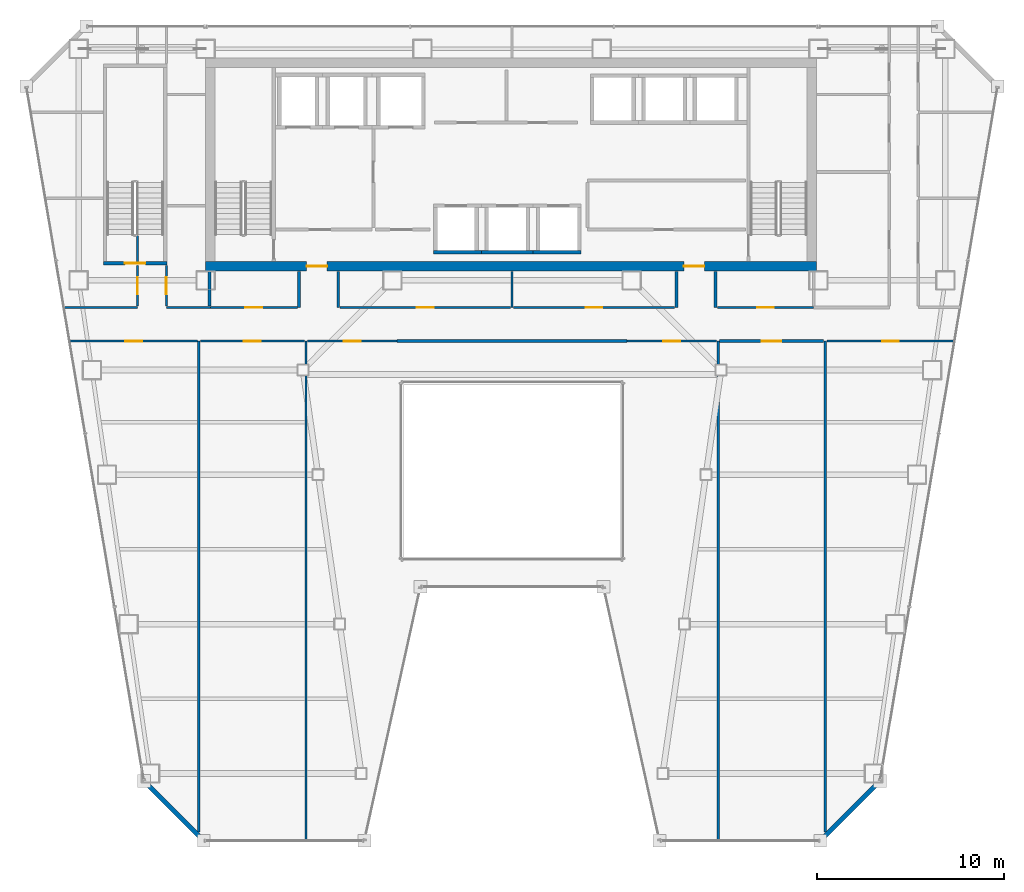
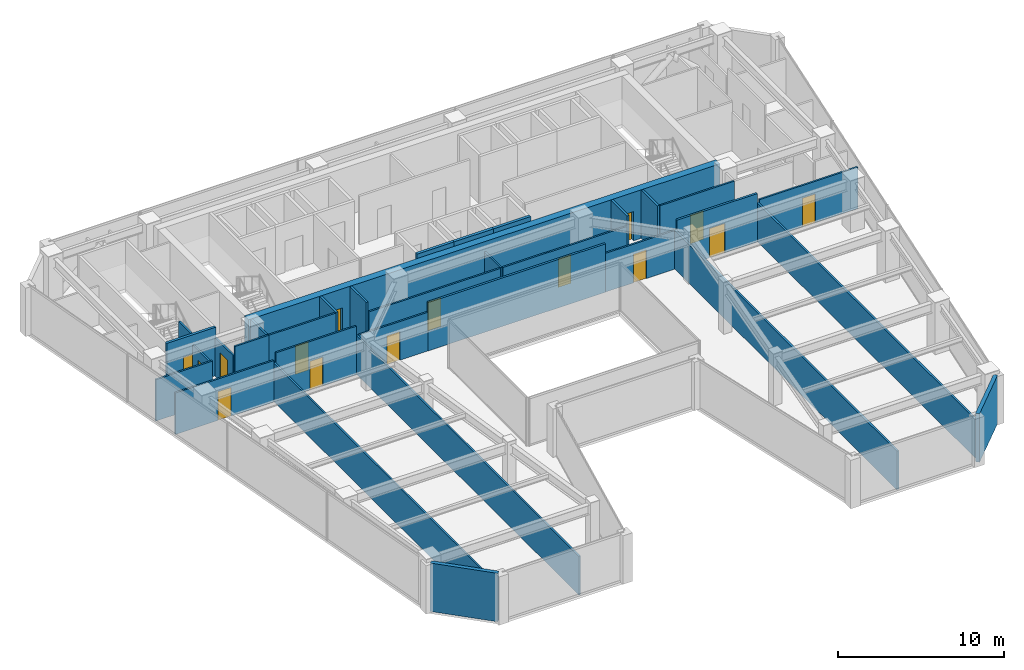
# One storey, part 29 of 35: 33 walls, 15 doors, 15 openings.
"""IFC4 building model written with IfcOpenShell, lengths in metres."""

from ifc_helpers import new_model, si_unit, direction, frame, frame_2d, origin, place, context, subcontext, project, spatial, rectangle, extrude, material, layer, layer_set, type_object, element, fill, save


model = new_model("IFC4")

# Units and contexts
model_context = context("Model", 3, precision=1e-05, world=origin(), true_north=direction((0.0, 1.0)))
body_context = subcontext(model_context, "Body", "Model", "MODEL_VIEW")
ifc_project = project(units=[si_unit("LENGTHUNIT", "METRE"), si_unit("AREAUNIT", "SQUARE_METRE"), si_unit("VOLUMEUNIT", "CUBIC_METRE"), si_unit("PLANEANGLEUNIT", "RADIAN"), si_unit("MASSUNIT", "GRAM", prefix="KILO")], contexts=[model_context])

# Site, building, storey
site_placement = place(None, origin())
site = spatial("IfcSite", under=ifc_project, at=site_placement, CompositionType="ELEMENT")
building_placement = place(site_placement, origin())
building = spatial("IfcBuilding", under=site, at=building_placement, Name="Saevonmaru Cultural Tower", CompositionType="ELEMENT")
storey_placement = place(building_placement, frame((0.0, 0.0, 179.0)))
storey = spatial("IfcBuildingStorey", under=building, at=storey_placement, Name="L40", CompositionType="ELEMENT", Elevation=179.0)

# Wall, openings, doors
ifc_material_1 = material(Name="Concrete C60/75", Category="concrete")
ifc_layer_1 = layer(ifc_material_1, 0.5, Name="Concrete C60/75")
ifc_layer_set_1 = layer_set([ifc_layer_1], Name="Concrete C60/75")
wall_type_1 = type_object("IfcWallType", Name="WL-CORE-500", PredefinedType="SHEAR", material=ifc_layer_set_1)
wall_1_placement = place(storey_placement, frame((13.60009765625, 43.14990234375, 0.0), z_axis=(0.0, 0.0, 1.0), x_axis=(1.0, 0.0, 0.0)))
wall_1 = element("IfcWall", 1, at=wall_1_placement, inside=storey, type_object=wall_type_1, Name="L40 Tower RC core shear wall S", PredefinedType="SHEAR", context=body_context, shape_type="SweptSolid", body=[
    extrude(rectangle(XDim=32.699951171875, YDim=0.5, at=frame_2d((16.35009765625, 0.0))), origin(), (0.0, 0.0, 1.0), 3.550048828125),
])
opening_1_placement = place(wall_1_placement, frame((5.39990234375, 0.0, 0.0)))
opening_1 = element("IfcOpeningElement", 2, at=opening_1_placement, cuts=wall_1, Name="Opening FD-2", PredefinedType="OPENING", context=body_context, shape_type="SweptSolid", body=[
    extrude(rectangle(XDim=1.10009765625, YDim=2.14990234375, at=frame_2d((0.550048828125, 1.074951171875))), frame((0.0, 0.260009765625, 0.0), z_axis=(0.0, -1.0, 0.0), x_axis=(1.0, 0.0, 0.0)), (0.0, 0.0, 1.0), 0.52001953125),
])
opening_2_placement = place(wall_1_placement, frame((25.60009765625, 0.0, 0.0)))
opening_2 = element("IfcOpeningElement", 3, at=opening_2_placement, cuts=wall_1, Name="Opening FD-2", PredefinedType="OPENING", context=body_context, shape_type="SweptSolid", body=[
    extrude(rectangle(XDim=1.10009765625, YDim=2.14990234375, at=frame_2d((0.550048828125, 1.074951171875))), frame((0.0, 0.260009765625, 0.0), z_axis=(0.0, -1.0, 0.0), x_axis=(1.0, 0.0, 0.0)), (0.0, 0.0, 1.0), 0.52001953125),
])
ifc_material_2 = material(Name="Satin Bronze Anodised Aluminium", Category="aluminium")
door_type_1 = type_object("IfcDoorType", Name="DR-FD60-1100", OperationType="SINGLE_SWING_LEFT", PredefinedType="DOOR", material=ifc_material_2)
door_1_placement = place(opening_1_placement, origin())
door_1 = element("IfcDoor", 4, at=door_1_placement, inside=storey, type_object=door_type_1, Name="L40 Core West Lobby Fire Door", OperationType="SINGLE_SWING_LEFT", OverallHeight=2.14990234375, OverallWidth=1.10009765625, PredefinedType="DOOR", context=body_context, shape_type="SweptSolid", body=[
    extrude(rectangle(XDim=1.10009765625, YDim=2.14990234375, at=frame_2d((0.550048828125, 1.074951171875))), frame((0.0, 0.02490234375, 0.0), z_axis=(0.0, -1.0, 0.0), x_axis=(1.0, 0.0, 0.0)), (0.0, 0.0, 1.0), 0.050048828125),
])
fill(opening_1, door_1)
door_2_placement = place(opening_2_placement, origin())
door_2 = element("IfcDoor", 5, at=door_2_placement, inside=storey, type_object=door_type_1, Name="L40 Core East Lobby Fire Door", OperationType="SINGLE_SWING_LEFT", OverallHeight=2.14990234375, OverallWidth=1.10009765625, PredefinedType="DOOR", context=body_context, shape_type="SweptSolid", body=[
    extrude(rectangle(XDim=1.10009765625, YDim=2.14990234375, at=frame_2d((0.550048828125, 1.074951171875))), frame((0.0, 0.02490234375, 0.0), z_axis=(0.0, -1.0, 0.0), x_axis=(1.0, 0.0, 0.0)), (0.0, 0.0, 1.0), 0.050048828125),
])
fill(opening_2, door_2)

# Walls
ifc_material_3 = material(Name="Granite-Clad Precast Concrete C40/50", Category="masonry")
ifc_layer_2 = layer(ifc_material_3, 0.260009765625, Name="Granite-Clad Precast Concrete C40/50")
ifc_layer_set_2 = layer_set([ifc_layer_2], Name="Granite-Clad Precast Concrete C40/50")
wall_type_2 = type_object("IfcWallType", Name="WL-EXT-SPANDREL-260", PredefinedType="STANDARD", material=ifc_layer_set_2)
for number, where, z_axis, x_axis, name in (
    (6, (10.410888671875, 15.48681640625, 0.0), (0.0, 0.0, 1.0), (0.707135806771, -0.70707775441, 0.0), "L40 Chamfer Corner Spandrel Wall E1"),
    (7, (46.615234375, 12.51318359375, 0.0), (0.0, 0.0, 1.0), (0.707135806771, 0.70707775441, 0.0), "L40 Chamfer Corner Spandrel Wall E7"),
):
    element("IfcWall", number, at=place(storey_placement, frame(where, z_axis=z_axis, x_axis=x_axis)), inside=storey, type_object=wall_type_2, Name=name, PredefinedType="STANDARD", context=body_context, shape_type="SweptSolid", body=[
        extrude(rectangle(XDim=4.20556640625, YDim=0.260009765625, at=frame_2d((2.102783203125, 0.0))), origin(), (0.0, 0.0, 1.0), 3.550048828125),
    ])
ifc_material_4 = material(Name="Gypsum Fireboard Partition", Category="gypsum")
ifc_layer_3 = layer(ifc_material_4, 0.14990234375, Name="Gypsum Fireboard Partition")
ifc_layer_set_3 = layer_set([ifc_layer_3], Name="Gypsum Fireboard Partition")
wall_type_3 = type_object("IfcWallType", Name="WL-PART-FIRE-150", PredefinedType="PARTITIONING", material=ifc_layer_set_3)
wall_2_placement = place(storey_placement, frame((13.800048828125, 41.030029296875, 0.0), z_axis=(0.0, 0.0, 1.0), x_axis=(0.0, 1.0, 0.0)))
element("IfcWall", 8, at=wall_2_placement, inside=storey, type_object=wall_type_3, Name="L40 Core Portal Side Wall W0", PredefinedType="PARTITIONING", context=body_context, shape_type="SweptSolid", body=[
    extrude(rectangle(XDim=1.849853515625, YDim=0.14990234375, at=frame_2d((0.9248046875, 0.0))), origin(), (0.0, 0.0, 1.0), 3.550048828125),
])
for number, where, z_axis, x_axis, name in (
    (9, (18.60009765625, 40.949951171875, 0.0), (0.0, 0.0, 1.0), (0.0, 1.0, 0.0), "L40 Core Portal Side Wall W1"),
    (10, (20.699951171875, 40.949951171875, 0.0), (0.0, 0.0, 1.0), (0.0, 1.0, 0.0), "L40 Core Portal Side Wall W2"),
    (11, (38.800048828125, 40.949951171875, 0.0), (0.0, 0.0, 1.0), (0.0, 1.0, 0.0), "L40 Core Portal Side Wall E1"),
    (12, (40.89990234375, 40.949951171875, 0.0), (0.0, 0.0, 1.0), (0.0, 1.0, 0.0), "L40 Core Portal Side Wall E2"),
):
    element("IfcWall", number, at=place(storey_placement, frame(where, z_axis=z_axis, x_axis=x_axis)), inside=storey, type_object=wall_type_3, Name=name, PredefinedType="PARTITIONING", context=body_context, shape_type="SweptSolid", body=[
        extrude(rectangle(XDim=1.929931640625, YDim=0.14990234375, at=frame_2d((0.96484375, 0.0))), origin(), (0.0, 0.0, 1.0), 3.550048828125),
    ])
wall_3_placement = place(storey_placement, frame((23.85009765625, 39.14990234375, 0.0), z_axis=(0.0, 0.0, 1.0), x_axis=(1.0, 0.0, 0.0)))
element("IfcWall", 13, at=wall_3_placement, inside=storey, type_object=wall_type_3, Name="L40 North Atrium Corridor Wall", PredefinedType="PARTITIONING", context=body_context, shape_type="SweptSolid", body=[
    extrude(rectangle(XDim=12.2998046875, YDim=0.14990234375, at=frame_2d((6.14990234375, 0.0))), origin(), (0.0, 0.0, 1.0), 3.550048828125),
])

# Wall, opening, door
wall_4_placement = place(storey_placement, frame((41.117431640625, 39.14990234375, 0.0), z_axis=(0.0, 0.0, 1.0), x_axis=(1.0, 0.0, 0.0)))
wall_4 = element("IfcWall", 14, at=wall_4_placement, inside=storey, type_object=wall_type_3, Name="L40 Permanent Exhibition Gallery Corridor Wall", PredefinedType="PARTITIONING", context=body_context, shape_type="SweptSolid", body=[
    extrude(rectangle(XDim=5.565185546875, YDim=0.14990234375, at=frame_2d((2.78271484375, 0.0))), origin(), (0.0, 0.0, 1.0), 3.550048828125),
])
opening_3_placement = place(wall_4_placement, frame((2.257080078125, 0.0, 0.0)))
opening_3 = element("IfcOpeningElement", 15, at=opening_3_placement, cuts=wall_4, Name="Opening ID-1", PredefinedType="OPENING", context=body_context, shape_type="SweptSolid", body=[
    extrude(rectangle(XDim=1.050048828125, YDim=2.14990234375, at=frame_2d((0.52490234375, 1.074951171875))), frame((0.0, 0.0849609375, 0.0), z_axis=(0.0, -1.0, 0.0), x_axis=(1.0, 0.0, 0.0)), (0.0, 0.0, 1.0), 0.169921875),
])
door_type_2 = type_object("IfcDoorType", Name="DR-INT-1050", OperationType="SINGLE_SWING_LEFT", PredefinedType="DOOR", material=ifc_material_2)
door_3_placement = place(opening_3_placement, origin())
door_3 = element("IfcDoor", 16, at=door_3_placement, inside=storey, type_object=door_type_2, Name="L40 Permanent Exhibition Gallery Door", OperationType="SINGLE_SWING_RIGHT", OverallHeight=2.14990234375, OverallWidth=1.050048828125, PredefinedType="DOOR", context=body_context, shape_type="SweptSolid", body=[
    extrude(rectangle(XDim=1.050048828125, YDim=2.14990234375, at=frame_2d((0.52490234375, 1.074951171875))), frame((0.0, 0.02490234375, 0.0), z_axis=(0.0, -1.0, 0.0), x_axis=(1.0, 0.0, 0.0)), (0.0, 0.0, 1.0), 0.050048828125),
])
fill(opening_3, door_3)

# Walls
ifc_layer_4 = layer(ifc_material_4, 0.1201171875, Name="Gypsum Fireboard Partition")
ifc_layer_set_4 = layer_set([ifc_layer_4], Name="Gypsum Fireboard Partition")
wall_type_4 = type_object("IfcWallType", Name="WL-PART-GYP-120", PredefinedType="PARTITIONING", material=ifc_layer_set_4)
wall_5_placement = place(storey_placement, frame((6.01123046875, 40.949951171875, 0.0), z_axis=(0.0, 0.0, 1.0), x_axis=(1.0, 0.0, 0.0)))
element("IfcWall", 17, at=wall_5_placement, inside=storey, type_object=wall_type_4, Name="L40 NW Wing South Wall", PredefinedType="PARTITIONING", context=body_context, shape_type="SweptSolid", body=[
    extrude(rectangle(XDim=3.938720703125, YDim=0.1201171875, at=frame_2d((1.96923828125, 0.0))), origin(), (0.0, 0.0, 1.0), 3.034912109375),
])
wall_6_placement = place(storey_placement, frame((11.5, 40.949951171875, 0.0), z_axis=(0.0, 0.0, 1.0), x_axis=(1.0, 0.0, 0.0)))
element("IfcWall", 18, at=wall_6_placement, inside=storey, type_object=wall_type_4, Name="L40 NW Inner South Wall", PredefinedType="PARTITIONING", context=body_context, shape_type="SweptSolid", body=[
    extrude(rectangle(XDim=2.35009765625, YDim=0.1201171875, at=frame_2d((1.175048828125, 0.0))), origin(), (0.0, 0.0, 1.0), 3.550048828125),
])

# Wall, opening, door
wall_7_placement = place(storey_placement, frame((9.949951171875, 41.030029296875, 0.0), z_axis=(0.0, 0.0, 1.0), x_axis=(0.0, 1.0, 0.0)))
wall_7 = element("IfcWall", 19, at=wall_7_placement, inside=storey, type_object=wall_type_4, Name="L40 Curatorial Research Office Corridor Wall", PredefinedType="PARTITIONING", context=body_context, shape_type="SweptSolid", body=[
    extrude(rectangle(XDim=2.169921875, YDim=0.1201171875, at=frame_2d((1.0849609375, 0.0))), origin(), (0.0, 0.0, 1.0), 2.8349609375),
])
opening_4_placement = place(wall_7_placement, frame((0.635009765625, 0.0, 0.0)))
opening_4 = element("IfcOpeningElement", 20, at=opening_4_placement, cuts=wall_7, Name="Opening ID-2", PredefinedType="OPENING", context=body_context, shape_type="SweptSolid", body=[
    extrude(rectangle(XDim=0.89990234375, YDim=2.10009765625, at=frame_2d((0.449951171875, 1.050048828125))), frame((0.0, 0.070068359375, 0.0), z_axis=(0.0, -1.0, 0.0), x_axis=(1.0, 0.0, 0.0)), (0.0, 0.0, 1.0), 0.14013671875),
])
ifc_material_5 = material(Name="Acoustic Stained Oak Timber", Category="wood")
door_type_3 = type_object("IfcDoorType", Name="DR-INT-900", OperationType="SINGLE_SWING_RIGHT", PredefinedType="DOOR", material=ifc_material_5)
door_4_placement = place(opening_4_placement, origin())
door_4 = element("IfcDoor", 21, at=door_4_placement, inside=storey, type_object=door_type_3, Name="L40 Curatorial Research Office Door", OperationType="SINGLE_SWING_LEFT", OverallHeight=2.10009765625, OverallWidth=0.89990234375, PredefinedType="DOOR", context=body_context, shape_type="SweptSolid", body=[
    extrude(rectangle(XDim=0.89990234375, YDim=2.10009765625, at=frame_2d((0.449951171875, 1.050048828125))), frame((0.0, 0.02490234375, 0.0), z_axis=(0.0, -1.0, 0.0), x_axis=(1.0, 0.0, 0.0)), (0.0, 0.0, 1.0), 0.050048828125),
])
fill(opening_4, door_4)

# Wall
wall_8_placement = place(storey_placement, frame((9.949951171875, 43.419921875, 0.0), z_axis=(0.0, 0.0, 1.0), x_axis=(0.0, 1.0, 0.0)))
element("IfcWall", 22, at=wall_8_placement, inside=storey, type_object=wall_type_4, Name="L40 Curatorial Research Office Corridor Wall (2)", PredefinedType="PARTITIONING", context=body_context, shape_type="SweptSolid", body=[
    extrude(rectangle(XDim=1.4501953125, YDim=0.1201171875, at=frame_2d((0.72509765625, 0.0))), origin(), (0.0, 0.0, 1.0), 3.550048828125),
])

# Wall, opening, door
wall_9_placement = place(storey_placement, frame((11.5, 41.030029296875, 0.0), z_axis=(0.0, 0.0, 1.0), x_axis=(0.0, 1.0, 0.0)))
wall_9 = element("IfcWall", 23, at=wall_9_placement, inside=storey, type_object=wall_type_4, Name="L40 Archival Conservation Office Corridor Wall", PredefinedType="PARTITIONING", context=body_context, shape_type="SweptSolid", body=[
    extrude(rectangle(XDim=2.169921875, YDim=0.1201171875, at=frame_2d((1.0849609375, 0.0))), origin(), (0.0, 0.0, 1.0), 2.8349609375),
])
opening_5_placement = place(wall_9_placement, frame((0.635009765625, 0.0, 0.0)))
opening_5 = element("IfcOpeningElement", 24, at=opening_5_placement, cuts=wall_9, Name="Opening ID-2", PredefinedType="OPENING", context=body_context, shape_type="SweptSolid", body=[
    extrude(rectangle(XDim=0.89990234375, YDim=2.10009765625, at=frame_2d((0.449951171875, 1.050048828125))), frame((0.0, 0.070068359375, 0.0), z_axis=(0.0, -1.0, 0.0), x_axis=(1.0, 0.0, 0.0)), (0.0, 0.0, 1.0), 0.14013671875),
])
door_5_placement = place(opening_5_placement, origin())
door_5 = element("IfcDoor", 25, at=door_5_placement, inside=storey, type_object=door_type_3, Name="L40 Archival Conservation Office Door", OperationType="SINGLE_SWING_RIGHT", OverallHeight=2.10009765625, OverallWidth=0.89990234375, PredefinedType="DOOR", context=body_context, shape_type="SweptSolid", body=[
    extrude(rectangle(XDim=0.89990234375, YDim=2.10009765625, at=frame_2d((0.449951171875, 1.050048828125))), frame((0.0, 0.02490234375, 0.0), z_axis=(0.0, -1.0, 0.0), x_axis=(1.0, 0.0, 0.0)), (0.0, 0.0, 1.0), 0.050048828125),
])
fill(opening_5, door_5)

wall_10_placement = place(storey_placement, frame((13.85009765625, 40.949951171875, 0.0), z_axis=(0.0, 0.0, 1.0), x_axis=(1.0, 0.0, 0.0)))
wall_10 = element("IfcWall", 26, at=wall_10_placement, inside=storey, type_object=wall_type_4, Name="L40 Curatorial Research Office Corridor Wall", PredefinedType="PARTITIONING", context=body_context, shape_type="SweptSolid", body=[
    extrude(rectangle(XDim=4.65478515625, YDim=0.1201171875, at=frame_2d((2.327392578125, 0.0))), origin(), (0.0, 0.0, 1.0), 3.550048828125),
])
opening_6_placement = place(wall_10_placement, frame((1.876953125, 0.0, 0.0)))
opening_6 = element("IfcOpeningElement", 27, at=opening_6_placement, cuts=wall_10, Name="Opening ID-2", PredefinedType="OPENING", context=body_context, shape_type="SweptSolid", body=[
    extrude(rectangle(XDim=0.89990234375, YDim=2.10009765625, at=frame_2d((0.449951171875, 1.050048828125))), frame((0.0, 0.070068359375, 0.0), z_axis=(0.0, -1.0, 0.0), x_axis=(1.0, 0.0, 0.0)), (0.0, 0.0, 1.0), 0.14013671875),
])
door_6_placement = place(opening_6_placement, origin())
door_6 = element("IfcDoor", 28, at=door_6_placement, inside=storey, type_object=door_type_3, Name="L40 Curatorial Research Office Door", OperationType="SINGLE_SWING_RIGHT", OverallHeight=2.10009765625, OverallWidth=0.89990234375, PredefinedType="DOOR", context=body_context, shape_type="SweptSolid", body=[
    extrude(rectangle(XDim=0.89990234375, YDim=2.10009765625, at=frame_2d((0.449951171875, 1.050048828125))), frame((0.0, 0.02490234375, 0.0), z_axis=(0.0, -1.0, 0.0), x_axis=(1.0, 0.0, 0.0)), (0.0, 0.0, 1.0), 0.050048828125),
])
fill(opening_6, door_6)

# Wall
wall_11_placement = place(storey_placement, frame((30.0, 40.949951171875, 0.0), z_axis=(0.0, 0.0, 1.0), x_axis=(0.0, 1.0, 0.0)))
element("IfcWall", 29, at=wall_11_placement, inside=storey, type_object=wall_type_4, Name="L40 Spine Alcove Split", PredefinedType="PARTITIONING", context=body_context, shape_type="SweptSolid", body=[
    extrude(rectangle(XDim=1.929931640625, YDim=0.1201171875, at=frame_2d((0.96484375, 0.0))), origin(), (0.0, 0.0, 1.0), 2.8349609375),
])

# Wall, opening, door
wall_12_placement = place(storey_placement, frame((20.794921875, 40.949951171875, 0.0), z_axis=(0.0, 0.0, 1.0), x_axis=(1.0, 0.0, 0.0)))
wall_12 = element("IfcWall", 30, at=wall_12_placement, inside=storey, type_object=wall_type_4, Name="L40 Curatorial Research Office Corridor Wall", PredefinedType="PARTITIONING", context=body_context, shape_type="SweptSolid", body=[
    extrude(rectangle(XDim=9.125, YDim=0.1201171875, at=frame_2d((4.5625, 0.0))), origin(), (0.0, 0.0, 1.0), 2.8349609375),
])
opening_7_placement = place(wall_12_placement, frame((4.112060546875, 0.0, 0.0)))
opening_7 = element("IfcOpeningElement", 31, at=opening_7_placement, cuts=wall_12, Name="Opening ID-2", PredefinedType="OPENING", context=body_context, shape_type="SweptSolid", body=[
    extrude(rectangle(XDim=0.89990234375, YDim=2.10009765625, at=frame_2d((0.449951171875, 1.050048828125))), frame((0.0, 0.070068359375, 0.0), z_axis=(0.0, -1.0, 0.0), x_axis=(1.0, 0.0, 0.0)), (0.0, 0.0, 1.0), 0.14013671875),
])
door_7_placement = place(opening_7_placement, origin())
door_7 = element("IfcDoor", 32, at=door_7_placement, inside=storey, type_object=door_type_3, Name="L40 Curatorial Research Office Door", OperationType="SINGLE_SWING_LEFT", OverallHeight=2.10009765625, OverallWidth=0.89990234375, PredefinedType="DOOR", context=body_context, shape_type="SweptSolid", body=[
    extrude(rectangle(XDim=0.89990234375, YDim=2.10009765625, at=frame_2d((0.449951171875, 1.050048828125))), frame((0.0, 0.02490234375, 0.0), z_axis=(0.0, -1.0, 0.0), x_axis=(1.0, 0.0, 0.0)), (0.0, 0.0, 1.0), 0.050048828125),
])
fill(opening_7, door_7)

wall_13_placement = place(storey_placement, frame((30.080078125, 40.949951171875, 0.0), z_axis=(0.0, 0.0, 1.0), x_axis=(1.0, 0.0, 0.0)))
wall_13 = element("IfcWall", 33, at=wall_13_placement, inside=storey, type_object=wall_type_4, Name="L40 Design Seminar Classroom Corridor Wall", PredefinedType="PARTITIONING", context=body_context, shape_type="SweptSolid", body=[
    extrude(rectangle(XDim=8.625, YDim=0.1201171875, at=frame_2d((4.3125, 0.0))), origin(), (0.0, 0.0, 1.0), 2.8349609375),
])
opening_8_placement = place(wall_13_placement, frame((3.862060546875, 0.0, 0.0)))
opening_8 = element("IfcOpeningElement", 34, at=opening_8_placement, cuts=wall_13, Name="Opening ID-2", PredefinedType="OPENING", context=body_context, shape_type="SweptSolid", body=[
    extrude(rectangle(XDim=0.89990234375, YDim=2.10009765625, at=frame_2d((0.449951171875, 1.050048828125))), frame((0.0, 0.070068359375, 0.0), z_axis=(0.0, -1.0, 0.0), x_axis=(1.0, 0.0, 0.0)), (0.0, 0.0, 1.0), 0.14013671875),
])
door_8_placement = place(opening_8_placement, origin())
door_8 = element("IfcDoor", 35, at=door_8_placement, inside=storey, type_object=door_type_3, Name="L40 Design Seminar Classroom Door", OperationType="SINGLE_SWING_RIGHT", OverallHeight=2.10009765625, OverallWidth=0.89990234375, PredefinedType="DOOR", context=body_context, shape_type="SweptSolid", body=[
    extrude(rectangle(XDim=0.89990234375, YDim=2.10009765625, at=frame_2d((0.449951171875, 1.050048828125))), frame((0.0, 0.02490234375, 0.0), z_axis=(0.0, -1.0, 0.0), x_axis=(1.0, 0.0, 0.0)), (0.0, 0.0, 1.0), 0.050048828125),
])
fill(opening_8, door_8)

wall_14_placement = place(storey_placement, frame((40.9951171875, 40.949951171875, 0.0), z_axis=(0.0, 0.0, 1.0), x_axis=(1.0, 0.0, 0.0)))
wall_14 = element("IfcWall", 36, at=wall_14_placement, inside=storey, type_object=wall_type_4, Name="L40 Editorial Fellows Office Corridor Wall", PredefinedType="PARTITIONING", context=body_context, shape_type="SweptSolid", body=[
    extrude(rectangle(XDim=5.15478515625, YDim=0.1201171875, at=frame_2d((2.577392578125, 0.0))), origin(), (0.0, 0.0, 1.0), 3.550048828125),
])
opening_9_placement = place(wall_14_placement, frame((2.1279296875, 0.0, 0.0)))
opening_9 = element("IfcOpeningElement", 37, at=opening_9_placement, cuts=wall_14, Name="Opening ID-2", PredefinedType="OPENING", context=body_context, shape_type="SweptSolid", body=[
    extrude(rectangle(XDim=0.89990234375, YDim=2.10009765625, at=frame_2d((0.449951171875, 1.050048828125))), frame((0.0, 0.070068359375, 0.0), z_axis=(0.0, -1.0, 0.0), x_axis=(1.0, 0.0, 0.0)), (0.0, 0.0, 1.0), 0.14013671875),
])
door_9_placement = place(opening_9_placement, origin())
door_9 = element("IfcDoor", 38, at=door_9_placement, inside=storey, type_object=door_type_3, Name="L40 Editorial Fellows Office Door", OperationType="SINGLE_SWING_LEFT", OverallHeight=2.10009765625, OverallWidth=0.89990234375, PredefinedType="DOOR", context=body_context, shape_type="SweptSolid", body=[
    extrude(rectangle(XDim=0.89990234375, YDim=2.10009765625, at=frame_2d((0.449951171875, 1.050048828125))), frame((0.0, 0.02490234375, 0.0), z_axis=(0.0, -1.0, 0.0), x_axis=(1.0, 0.0, 0.0)), (0.0, 0.0, 1.0), 0.050048828125),
])
fill(opening_9, door_9)

# Walls
wall_15_placement = place(storey_placement, frame((13.22998046875, 12.8798828125, 0.0), z_axis=(0.0, 0.0, 1.0), x_axis=(0.0, 1.0, 0.0)))
element("IfcWall", 39, at=wall_15_placement, inside=storey, type_object=wall_type_4, Name="L40 West Bay Divider 1", PredefinedType="PARTITIONING", context=body_context, shape_type="SweptSolid", body=[
    extrude(rectangle(XDim=26.27001953125, YDim=0.1201171875, at=frame_2d((13.135009765625, 0.0))), origin(), (0.0, 0.0, 1.0), 2.8349609375),
])
wall_16_placement = place(storey_placement, frame((18.969970703125, 12.405029296875, 0.0), z_axis=(0.0, 0.0, 1.0), x_axis=(0.0, 1.0, 0.0)))
element("IfcWall", 40, at=wall_16_placement, inside=storey, type_object=wall_type_4, Name="L40 West Bay Divider 2", PredefinedType="PARTITIONING", context=body_context, shape_type="SweptSolid", body=[
    extrude(rectangle(XDim=26.744873046875, YDim=0.1201171875, at=frame_2d((13.37255859375, 0.0))), origin(), (0.0, 0.0, 1.0), 2.8349609375),
])

# Wall, opening, door
wall_17_placement = place(storey_placement, frame((6.333984375, 39.14990234375, 0.0), z_axis=(0.0, 0.0, 1.0), x_axis=(1.0, 0.0, 0.0)))
wall_17 = element("IfcWall", 41, at=wall_17_placement, inside=storey, type_object=wall_type_4, Name="L40 Curatorial Research Office Corridor Wall", PredefinedType="PARTITIONING", context=body_context, shape_type="SweptSolid", body=[
    extrude(rectangle(XDim=6.81591796875, YDim=0.1201171875, at=frame_2d((3.407958984375, 0.0))), origin(), (0.0, 0.0, 1.0), 3.034912109375),
])
opening_10_placement = place(wall_17_placement, frame((2.9580078125, 0.0, 0.0)))
opening_10 = element("IfcOpeningElement", 42, at=opening_10_placement, cuts=wall_17, Name="Opening ID-2", PredefinedType="OPENING", context=body_context, shape_type="SweptSolid", body=[
    extrude(rectangle(XDim=0.89990234375, YDim=2.10009765625, at=frame_2d((0.449951171875, 1.050048828125))), frame((0.0, 0.070068359375, 0.0), z_axis=(0.0, -1.0, 0.0), x_axis=(1.0, 0.0, 0.0)), (0.0, 0.0, 1.0), 0.14013671875),
])
door_10_placement = place(opening_10_placement, origin())
door_10 = element("IfcDoor", 43, at=door_10_placement, inside=storey, type_object=door_type_3, Name="L40 Curatorial Research Office Door", OperationType="SINGLE_SWING_RIGHT", OverallHeight=2.10009765625, OverallWidth=0.89990234375, PredefinedType="DOOR", context=body_context, shape_type="SweptSolid", body=[
    extrude(rectangle(XDim=0.89990234375, YDim=2.10009765625, at=frame_2d((0.449951171875, 1.050048828125))), frame((0.0, 0.02490234375, 0.0), z_axis=(0.0, -1.0, 0.0), x_axis=(1.0, 0.0, 0.0)), (0.0, 0.0, 1.0), 0.050048828125),
])
fill(opening_10, door_10)

wall_18_placement = place(storey_placement, frame((13.31005859375, 39.14990234375, 0.0), z_axis=(0.0, 0.0, 1.0), x_axis=(1.0, 0.0, 0.0)))
wall_18 = element("IfcWall", 44, at=wall_18_placement, inside=storey, type_object=wall_type_4, Name="L40 Archival Conservation Office Corridor Wall", PredefinedType="PARTITIONING", context=body_context, shape_type="SweptSolid", body=[
    extrude(rectangle(XDim=5.579833984375, YDim=0.1201171875, at=frame_2d((2.7900390625, 0.0))), origin(), (0.0, 0.0, 1.0), 3.550048828125),
])
opening_11_placement = place(wall_18_placement, frame((2.340087890625, 0.0, 0.0)))
opening_11 = element("IfcOpeningElement", 45, at=opening_11_placement, cuts=wall_18, Name="Opening ID-2", PredefinedType="OPENING", context=body_context, shape_type="SweptSolid", body=[
    extrude(rectangle(XDim=0.89990234375, YDim=2.10009765625, at=frame_2d((0.449951171875, 1.050048828125))), frame((0.0, 0.070068359375, 0.0), z_axis=(0.0, -1.0, 0.0), x_axis=(1.0, 0.0, 0.0)), (0.0, 0.0, 1.0), 0.14013671875),
])
door_11_placement = place(opening_11_placement, origin())
door_11 = element("IfcDoor", 46, at=door_11_placement, inside=storey, type_object=door_type_3, Name="L40 Archival Conservation Office Door", OperationType="SINGLE_SWING_LEFT", OverallHeight=2.10009765625, OverallWidth=0.89990234375, PredefinedType="DOOR", context=body_context, shape_type="SweptSolid", body=[
    extrude(rectangle(XDim=0.89990234375, YDim=2.10009765625, at=frame_2d((0.449951171875, 1.050048828125))), frame((0.0, 0.02490234375, 0.0), z_axis=(0.0, -1.0, 0.0), x_axis=(1.0, 0.0, 0.0)), (0.0, 0.0, 1.0), 0.050048828125),
])
fill(opening_11, door_11)

wall_19_placement = place(storey_placement, frame((19.050048828125, 39.14990234375, 0.0), z_axis=(0.0, 0.0, 1.0), x_axis=(1.0, 0.0, 0.0)))
wall_19 = element("IfcWall", 47, at=wall_19_placement, inside=storey, type_object=wall_type_4, Name="L40 Editorial Fellows Office Corridor Wall", PredefinedType="PARTITIONING", context=body_context, shape_type="SweptSolid", body=[
    extrude(rectangle(XDim=4.800048828125, YDim=0.1201171875, at=frame_2d((2.39990234375, 0.0))), origin(), (0.0, 0.0, 1.0), 2.8349609375),
])
opening_12_placement = place(wall_19_placement, frame((1.949951171875, 0.0, 0.0)))
opening_12 = element("IfcOpeningElement", 48, at=opening_12_placement, cuts=wall_19, Name="Opening ID-2", PredefinedType="OPENING", context=body_context, shape_type="SweptSolid", body=[
    extrude(rectangle(XDim=0.89990234375, YDim=2.10009765625, at=frame_2d((0.449951171875, 1.050048828125))), frame((0.0, 0.070068359375, 0.0), z_axis=(0.0, -1.0, 0.0), x_axis=(1.0, 0.0, 0.0)), (0.0, 0.0, 1.0), 0.14013671875),
])
door_12_placement = place(opening_12_placement, origin())
door_12 = element("IfcDoor", 49, at=door_12_placement, inside=storey, type_object=door_type_3, Name="L40 Editorial Fellows Office Door", OperationType="SINGLE_SWING_RIGHT", OverallHeight=2.10009765625, OverallWidth=0.89990234375, PredefinedType="DOOR", context=body_context, shape_type="SweptSolid", body=[
    extrude(rectangle(XDim=0.89990234375, YDim=2.10009765625, at=frame_2d((0.449951171875, 1.050048828125))), frame((0.0, 0.02490234375, 0.0), z_axis=(0.0, -1.0, 0.0), x_axis=(1.0, 0.0, 0.0)), (0.0, 0.0, 1.0), 0.050048828125),
])
fill(opening_12, door_12)

wall_20_placement = place(storey_placement, frame((36.14990234375, 39.14990234375, 0.0), z_axis=(0.0, 0.0, 1.0), x_axis=(1.0, 0.0, 0.0)))
wall_20 = element("IfcWall", 50, at=wall_20_placement, inside=storey, type_object=wall_type_4, Name="L40 Editorial Fellows Office Corridor Wall", PredefinedType="PARTITIONING", context=body_context, shape_type="SweptSolid", body=[
    extrude(rectangle(XDim=4.79248046875, YDim=0.1201171875, at=frame_2d((2.396240234375, 0.0))), origin(), (0.0, 0.0, 1.0), 2.8349609375),
])
opening_13_placement = place(wall_20_placement, frame((1.946044921875, 0.0, 0.0)))
opening_13 = element("IfcOpeningElement", 51, at=opening_13_placement, cuts=wall_20, Name="Opening ID-2", PredefinedType="OPENING", context=body_context, shape_type="SweptSolid", body=[
    extrude(rectangle(XDim=0.89990234375, YDim=2.10009765625, at=frame_2d((0.449951171875, 1.050048828125))), frame((0.0, 0.070068359375, 0.0), z_axis=(0.0, -1.0, 0.0), x_axis=(1.0, 0.0, 0.0)), (0.0, 0.0, 1.0), 0.14013671875),
])
door_13_placement = place(opening_13_placement, origin())
door_13 = element("IfcDoor", 52, at=door_13_placement, inside=storey, type_object=door_type_3, Name="L40 Editorial Fellows Office Door", OperationType="SINGLE_SWING_LEFT", OverallHeight=2.10009765625, OverallWidth=0.89990234375, PredefinedType="DOOR", context=body_context, shape_type="SweptSolid", body=[
    extrude(rectangle(XDim=0.89990234375, YDim=2.10009765625, at=frame_2d((0.449951171875, 1.050048828125))), frame((0.0, 0.02490234375, 0.0), z_axis=(0.0, -1.0, 0.0), x_axis=(1.0, 0.0, 0.0)), (0.0, 0.0, 1.0), 0.050048828125),
])
fill(opening_13, door_13)

wall_21_placement = place(storey_placement, frame((46.857421875, 39.14990234375, 0.0), z_axis=(0.0, 0.0, 1.0), x_axis=(1.0, 0.0, 0.0)))
wall_21 = element("IfcWall", 53, at=wall_21_placement, inside=storey, type_object=wall_type_4, Name="L40 Design Seminar Classroom Corridor Wall", PredefinedType="PARTITIONING", context=body_context, shape_type="SweptSolid", body=[
    extrude(rectangle(XDim=6.80859375, YDim=0.1201171875, at=frame_2d((3.404296875, 0.0))), origin(), (0.0, 0.0, 1.0), 3.034912109375),
])
opening_14_placement = place(wall_21_placement, frame((2.9541015625, 0.0, 0.0)))
opening_14 = element("IfcOpeningElement", 54, at=opening_14_placement, cuts=wall_21, Name="Opening ID-2", PredefinedType="OPENING", context=body_context, shape_type="SweptSolid", body=[
    extrude(rectangle(XDim=0.89990234375, YDim=2.10009765625, at=frame_2d((0.449951171875, 1.050048828125))), frame((0.0, 0.070068359375, 0.0), z_axis=(0.0, -1.0, 0.0), x_axis=(1.0, 0.0, 0.0)), (0.0, 0.0, 1.0), 0.14013671875),
])
door_14_placement = place(opening_14_placement, origin())
door_14 = element("IfcDoor", 55, at=door_14_placement, inside=storey, type_object=door_type_3, Name="L40 Design Seminar Classroom Door", OperationType="SINGLE_SWING_LEFT", OverallHeight=2.10009765625, OverallWidth=0.89990234375, PredefinedType="DOOR", context=body_context, shape_type="SweptSolid", body=[
    extrude(rectangle(XDim=0.89990234375, YDim=2.10009765625, at=frame_2d((0.449951171875, 1.050048828125))), frame((0.0, 0.02490234375, 0.0), z_axis=(0.0, -1.0, 0.0), x_axis=(1.0, 0.0, 0.0)), (0.0, 0.0, 1.0), 0.050048828125),
])
fill(opening_14, door_14)

# Walls
ifc_layer_5 = layer(ifc_material_4, 0.135009765625, Name="Gypsum Fireboard Partition")
ifc_layer_set_5 = layer_set([ifc_layer_5], Name="Gypsum Fireboard Partition")
wall_type_5 = type_object("IfcWallType", Name="WL-PART-GYP-135", PredefinedType="PARTITIONING", material=ifc_layer_set_5)
wall_22_placement = place(storey_placement, frame((41.030029296875, 12.405029296875, 0.0), z_axis=(0.0, 0.0, 1.0), x_axis=(0.0, 1.0, 0.0)))
element("IfcWall", 56, at=wall_22_placement, inside=storey, type_object=wall_type_5, Name="L40 East Bay Divider 1", PredefinedType="PARTITIONING", context=body_context, shape_type="SweptSolid", body=[
    extrude(rectangle(XDim=26.744873046875, YDim=0.135009765625, at=frame_2d((13.37255859375, 0.0))), origin(), (0.0, 0.0, 1.0), 2.8349609375),
])
wall_23_placement = place(storey_placement, frame((46.77001953125, 12.8798828125, 0.0), z_axis=(0.0, 0.0, 1.0), x_axis=(0.0, 1.0, 0.0)))
element("IfcWall", 57, at=wall_23_placement, inside=storey, type_object=wall_type_5, Name="L40 East Bay Divider 2", PredefinedType="PARTITIONING", context=body_context, shape_type="SweptSolid", body=[
    extrude(rectangle(XDim=26.27001953125, YDim=0.135009765625, at=frame_2d((13.135009765625, 0.0))), origin(), (0.0, 0.0, 1.0), 2.8349609375),
])
ifc_material_6 = material(Name="Concrete C40/50", Category="concrete")
ifc_layer_6 = layer(ifc_material_6, 0.199951171875, Name="Concrete C40/50")
ifc_layer_set_6 = layer_set([ifc_layer_6], Name="Concrete C40/50")
wall_type_6 = type_object("IfcWallType", Name="WL-SHAFT-200", PredefinedType="SHEAR", material=ifc_layer_set_6)
wall_24_placement = place(storey_placement, frame((25.800048828125, 43.89990234375, 0.0), z_axis=(0.0, 0.0, 1.0), x_axis=(1.0, 0.0, 0.0)))
element("IfcWall", 58, at=wall_24_placement, inside=storey, type_object=wall_type_6, Name="L40 Lift PL-M1 Hoistway Wall S", PredefinedType="SHEAR", context=body_context, shape_type="SweptSolid", body=[
    extrude(rectangle(XDim=2.574951171875, YDim=0.199951171875, at=frame_2d((1.28759765625, 0.0))), origin(), (0.0, 0.0, 1.0), 3.550048828125),
])
wall_25_placement = place(storey_placement, frame((28.375, 43.89990234375, 0.0), z_axis=(0.0, 0.0, 1.0), x_axis=(1.0, 0.0, 0.0)))
element("IfcWall", 59, at=wall_25_placement, inside=storey, type_object=wall_type_6, Name="L40 Lift PL-M2 Hoistway Wall S", PredefinedType="SHEAR", context=body_context, shape_type="SweptSolid", body=[
    extrude(rectangle(XDim=2.75, YDim=0.199951171875, at=frame_2d((1.375, 0.0))), origin(), (0.0, 0.0, 1.0), 3.550048828125),
])
wall_26_placement = place(storey_placement, frame((31.125, 43.89990234375, 0.0), z_axis=(0.0, 0.0, 1.0), x_axis=(1.0, 0.0, 0.0)))
element("IfcWall", 60, at=wall_26_placement, inside=storey, type_object=wall_type_6, Name="L40 Lift PL-M3 Hoistway Wall S", PredefinedType="SHEAR", context=body_context, shape_type="SweptSolid", body=[
    extrude(rectangle(XDim=2.574951171875, YDim=0.199951171875, at=frame_2d((1.28759765625, 0.0))), origin(), (0.0, 0.0, 1.0), 3.550048828125),
])

# Wall, opening, door
ifc_layer_7 = layer(ifc_material_6, 0.179931640625, Name="Concrete C40/50")
ifc_layer_set_7 = layer_set([ifc_layer_7], Name="Concrete C40/50")
wall_type_7 = type_object("IfcWallType", Name="WL-STSHAFT-180", PredefinedType="SHEAR", material=ifc_layer_set_7)
wall_27_placement = place(storey_placement, frame((8.1201171875, 43.31005859375, 0.0), z_axis=(0.0, 0.0, 1.0), x_axis=(1.0, 0.0, 0.0)))
wall_27 = element("IfcWall", 61, at=wall_27_placement, inside=storey, type_object=wall_type_7, Name="L40 Stair ST-3 Structural Shaft Wall 1", PredefinedType="SHEAR", context=body_context, shape_type="SweptSolid", body=[
    extrude(rectangle(XDim=3.409912109375, YDim=0.179931640625, at=frame_2d((1.705078125, 0.0))), origin(), (0.0, 0.0, 1.0), 3.550048828125),
])
opening_15_placement = place(wall_27_placement, frame((1.14990234375, 0.0, 0.0)))
opening_15 = element("IfcOpeningElement", 62, at=opening_15_placement, cuts=wall_27, Name="Opening FD-2", PredefinedType="OPENING", context=body_context, shape_type="SweptSolid", body=[
    extrude(rectangle(XDim=1.10009765625, YDim=2.14990234375, at=frame_2d((0.550048828125, 1.074951171875))), frame((0.0, 0.10009765625, 0.0), z_axis=(0.0, -1.0, 0.0), x_axis=(1.0, 0.0, 0.0)), (0.0, 0.0, 1.0), 0.199951171875),
])
door_15_placement = place(opening_15_placement, origin())
door_15 = element("IfcDoor", 63, at=door_15_placement, inside=storey, type_object=door_type_1, Name="L40 Protected Stair ST-3 Fire Door", OperationType="SINGLE_SWING_LEFT", OverallHeight=2.14990234375, OverallWidth=1.10009765625, PredefinedType="DOOR", context=body_context, shape_type="SweptSolid", body=[
    extrude(rectangle(XDim=1.10009765625, YDim=2.14990234375, at=frame_2d((0.550048828125, 1.074951171875))), frame((0.0, 0.02490234375, 0.0), z_axis=(0.0, -1.0, 0.0), x_axis=(1.0, 0.0, 0.0)), (0.0, 0.0, 1.0), 0.050048828125),
])
fill(opening_15, door_15)

save(model, "model.ifc")
